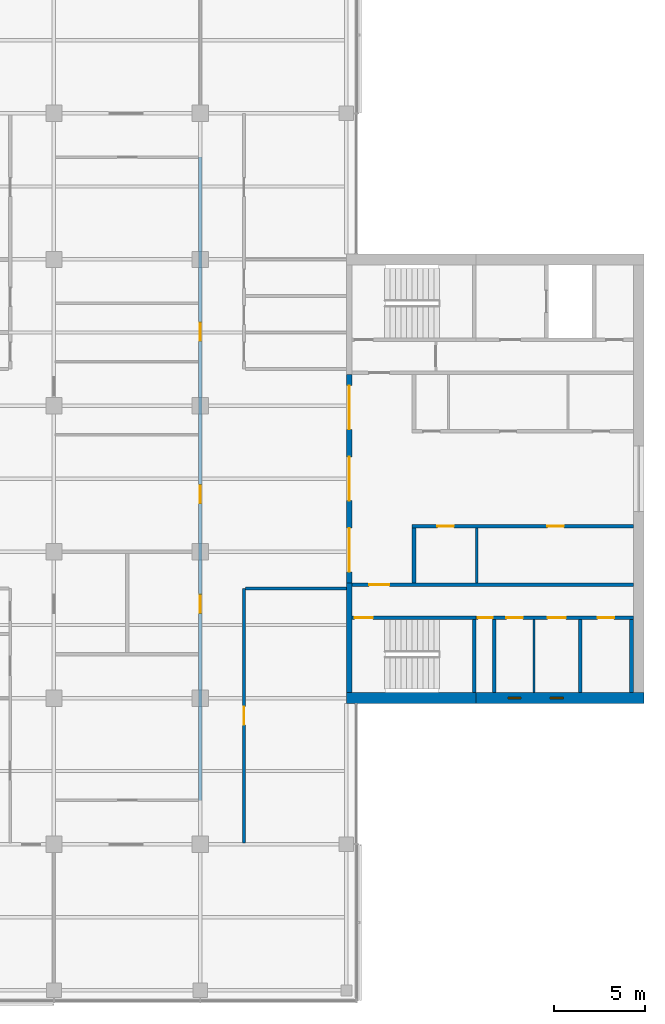
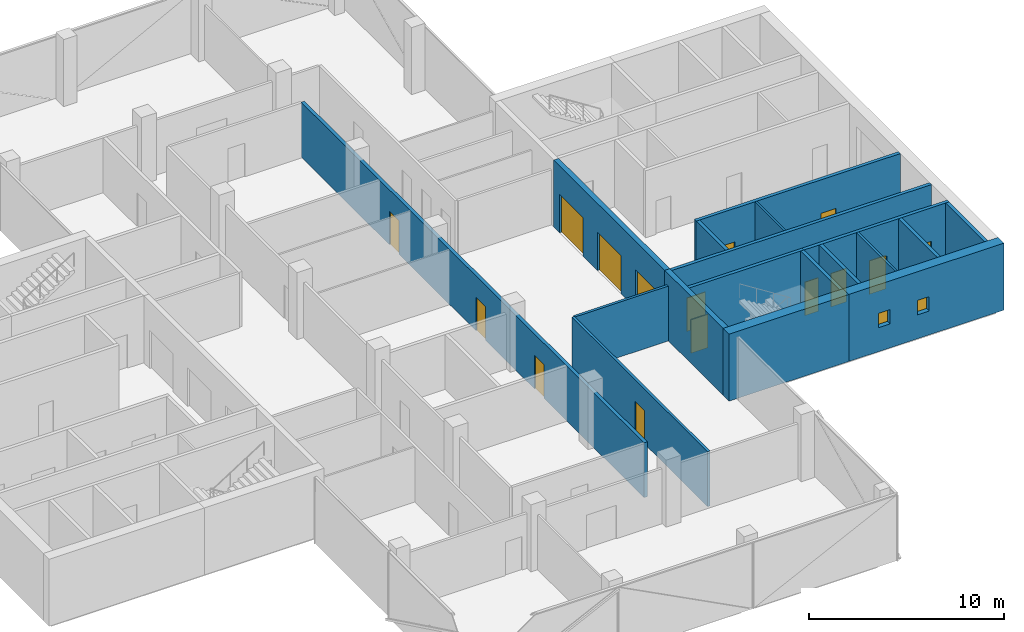
# One storey, part 10 of 15: 18 walls, 15 doors, 2 windows, 17 openings.
"""IFC4 building model written with IfcOpenShell, lengths in metres."""

from ifc_helpers import new_model, si_unit, direction, frame, frame_2d, origin, place, context, subcontext, project, spatial, rectangle, extrude, material, layer, layer_set, constituent, constituent_set, type_object, element, fill, save


model = new_model("IFC4")

# Units and contexts
model_context = context("Model", 3, precision=1e-05, world=origin(), true_north=direction((0.0, 1.0)))
body_context = subcontext(model_context, "Body", "Model", "MODEL_VIEW")
ifc_project = project(units=[si_unit("LENGTHUNIT", "METRE"), si_unit("AREAUNIT", "SQUARE_METRE"), si_unit("VOLUMEUNIT", "CUBIC_METRE"), si_unit("PLANEANGLEUNIT", "RADIAN"), si_unit("MASSUNIT", "GRAM", prefix="KILO")], contexts=[model_context])

# Site, building, storey
site_placement = place(None, origin())
site = spatial("IfcSite", under=ifc_project, at=site_placement, CompositionType="ELEMENT")
building_placement = place(site_placement, origin())
building = spatial("IfcBuilding", under=site, at=building_placement, Name="Crosswind Convention Tower", CompositionType="ELEMENT")
storey_placement = place(building_placement, frame((0.0, 0.0, 220.89990234375)))
storey = spatial("IfcBuildingStorey", under=building, at=storey_placement, Name="L47", CompositionType="ELEMENT", Elevation=220.89990234375)

# Wall
ifc_material_1 = material(Name="Concrete blockwork", Category="masonry")
ifc_layer_1 = layer(ifc_material_1, 0.199951171875)
ifc_layer_set_1 = layer_set([ifc_layer_1], Name="Blockwork partition wall 200")
wall_type_1 = type_object("IfcWallType", Name="Blockwork partition wall 200", PredefinedType="PARTITIONING", material=ifc_layer_set_1)
wall_1_placement = place(storey_placement, frame((145.10009765625, 88.300048828125, 0.0), z_axis=(0.0, 0.0, 1.0), x_axis=(0.0, 1.0, 0.0)))
element("IfcWall", 1, at=wall_1_placement, inside=storey, type_object=wall_type_1, Name="Wall MRSE E L47", PredefinedType="PARTITIONING", context=body_context, shape_type="SweptSolid", body=[
    extrude(rectangle(XDim=4.0, YDim=0.199951171875, at=frame_2d((2.0, 0.0))), origin(), (0.0, 0.0, 1.0), 4.2001953125),
])

# Wall, openings, doors
ifc_layer_2 = layer(ifc_material_1, 0.199951171875)
ifc_layer_set_2 = layer_set([ifc_layer_2], Name="COMPARTMENT WALL 200 BLOCKWORK")
wall_type_2 = type_object("IfcWallType", Name="COMPARTMENT WALL 200 BLOCKWORK", PredefinedType="SOLIDWALL", material=ifc_layer_set_2)
wall_2_placement = place(storey_placement, frame((129.0, 82.39990234375, 0.0), z_axis=(0.0, 0.0, 1.0), x_axis=(0.0, 1.0, 0.0)))
wall_2 = element("IfcWall", 2, at=wall_2_placement, inside=storey, type_object=wall_type_2, Name="Compartment wall WT42", PredefinedType="SOLIDWALL", context=body_context, shape_type="SweptSolid", body=[
    extrude(rectangle(XDim=35.2001953125, YDim=0.199951171875, at=frame_2d((17.60009765625, 0.0))), origin(), (0.0, 0.0, 1.0), 3.43994140625),
])
opening_1_placement = place(wall_2_placement, frame((10.25, 0.0, 0.0)))
opening_1 = element("IfcOpeningElement", 3, at=opening_1_placement, cuts=wall_2, Name="Opening L47-66", PredefinedType="OPENING", context=body_context, shape_type="SweptSolid", body=[
    extrude(rectangle(XDim=1.0, YDim=2.10009765625, at=frame_2d((0.5, 1.050048828125))), frame((0.0, 0.10986328125, 0.0), z_axis=(0.0, -1.0, 0.0), x_axis=(1.0, 0.0, 0.0)), (0.0, 0.0, 1.0), 0.219970703125),
])
opening_2_placement = place(wall_2_placement, frame((16.25, 0.0, 0.0)))
opening_2 = element("IfcOpeningElement", 4, at=opening_2_placement, cuts=wall_2, Name="Opening L47-67", PredefinedType="OPENING", context=body_context, shape_type="SweptSolid", body=[
    extrude(rectangle(XDim=1.0, YDim=2.10009765625, at=frame_2d((0.5, 1.050048828125))), frame((0.0, 0.10986328125, 0.0), z_axis=(0.0, -1.0, 0.0), x_axis=(1.0, 0.0, 0.0)), (0.0, 0.0, 1.0), 0.219970703125),
])
opening_3_placement = place(wall_2_placement, frame((25.14990234375, 0.0, 0.0)))
opening_3 = element("IfcOpeningElement", 5, at=opening_3_placement, cuts=wall_2, Name="Opening L47-69", PredefinedType="OPENING", context=body_context, shape_type="SweptSolid", body=[
    extrude(rectangle(XDim=1.0, YDim=2.10009765625, at=frame_2d((0.5, 1.050048828125))), frame((0.0, 0.10986328125, 0.0), z_axis=(0.0, -1.0, 0.0), x_axis=(1.0, 0.0, 0.0)), (0.0, 0.0, 1.0), 0.219970703125),
])
ifc_material_2 = material(Name="Steel fire door", Category="steel")
door_type_1 = type_object("IfcDoorType", Name="PLANT ROOM DOOR 1000X2100 FD60", OperationType="NOTDEFINED", PredefinedType="DOOR", material=ifc_material_2)
door_1_placement = place(opening_1_placement, origin())
door_1 = element("IfcDoor", 6, at=door_1_placement, inside=storey, type_object=door_type_1, Name="Door L47-66", ObjectType="D43", OperationType="SINGLE_SWING_RIGHT", OverallHeight=2.10009765625, OverallWidth=1.0, PredefinedType="DOOR", context=body_context, shape_type="SweptSolid", body=[
    extrude(rectangle(XDim=1.0, YDim=2.10009765625, at=frame_2d((0.5, 1.050048828125))), frame((0.0, 0.02490234375, 0.0), z_axis=(0.0, -1.0, 0.0), x_axis=(1.0, 0.0, 0.0)), (0.0, 0.0, 1.0), 0.050048828125),
])
fill(opening_1, door_1)
ifc_material_3 = material(Name="Timber fire door", Category="wood")
door_type_2 = type_object("IfcDoorType", Name="TENANCY ENTRANCE DOOR 1000X2100 FD30S", OperationType="NOTDEFINED", PredefinedType="DOOR", material=ifc_material_3)
door_2_placement = place(opening_2_placement, origin())
door_2 = element("IfcDoor", 7, at=door_2_placement, inside=storey, type_object=door_type_2, Name="Door L47-67", ObjectType="D41", OperationType="SINGLE_SWING_LEFT", OverallHeight=2.10009765625, OverallWidth=1.0, PredefinedType="DOOR", context=body_context, shape_type="SweptSolid", body=[
    extrude(rectangle(XDim=1.0, YDim=2.10009765625, at=frame_2d((0.5, 1.050048828125))), frame((0.0, 0.02490234375, 0.0), z_axis=(0.0, -1.0, 0.0), x_axis=(1.0, 0.0, 0.0)), (0.0, 0.0, 1.0), 0.050048828125),
])
fill(opening_2, door_2)
door_3_placement = place(opening_3_placement, origin())
door_3 = element("IfcDoor", 8, at=door_3_placement, inside=storey, type_object=door_type_2, Name="Door L47-69", ObjectType="D41", OperationType="SINGLE_SWING_RIGHT", OverallHeight=2.10009765625, OverallWidth=1.0, PredefinedType="DOOR", context=body_context, shape_type="SweptSolid", body=[
    extrude(rectangle(XDim=1.0, YDim=2.10009765625, at=frame_2d((0.5, 1.050048828125))), frame((0.0, 0.02490234375, 0.0), z_axis=(0.0, -1.0, 0.0), x_axis=(1.0, 0.0, 0.0)), (0.0, 0.0, 1.0), 0.050048828125),
])
fill(opening_3, door_3)

ifc_material_4 = material(Name="Concrete C50/60", Category="concrete")
ifc_layer_3 = layer(ifc_material_4, 0.300048828125)
ifc_layer_set_3 = layer_set([ifc_layer_3], Name="Concrete C50/60")
wall_type_3 = type_object("IfcWallType", Name="Concrete inner core wall 300", PredefinedType="SHEAR", material=ifc_layer_set_3)
wall_3_placement = place(storey_placement, frame((137.14990234375, 94.300048828125, 0.0), z_axis=(0.0, 0.0, 1.0), x_axis=(0.0, 1.0, 0.0)))
wall_3 = element("IfcWall", 9, at=wall_3_placement, inside=storey, type_object=wall_type_3, Name="Wall SCR E L47", PredefinedType="SHEAR", context=body_context, shape_type="SweptSolid", body=[
    extrude(rectangle(XDim=11.39990234375, YDim=0.300048828125, at=frame_2d((5.699951171875, 0.0))), origin(), (0.0, 0.0, 1.0), 4.2001953125),
])
opening_4_placement = place(wall_3_placement, frame((0.60009765625, 0.0, 0.0)))
opening_4 = element("IfcOpeningElement", 10, at=opening_4_placement, cuts=wall_3, Name="Opening D100", PredefinedType="OPENING", context=body_context, shape_type="SweptSolid", body=[
    extrude(rectangle(XDim=2.39990234375, YDim=2.39990234375, at=frame_2d((1.199951171875, 1.199951171875))), frame((0.0, 0.159912109375, 0.0), z_axis=(0.0, -1.0, 0.0), x_axis=(1.0, 0.0, 0.0)), (0.0, 0.0, 1.0), 0.320068359375),
])
opening_5_placement = place(wall_3_placement, frame((4.5, 0.0, 0.0)))
opening_5 = element("IfcOpeningElement", 11, at=opening_5_placement, cuts=wall_3, Name="Opening D100", PredefinedType="OPENING", context=body_context, shape_type="SweptSolid", body=[
    extrude(rectangle(XDim=2.39990234375, YDim=2.39990234375, at=frame_2d((1.199951171875, 1.199951171875))), frame((0.0, 0.159912109375, 0.0), z_axis=(0.0, -1.0, 0.0), x_axis=(1.0, 0.0, 0.0)), (0.0, 0.0, 1.0), 0.320068359375),
])
opening_6_placement = place(wall_3_placement, frame((8.39990234375, 0.0, 0.0)))
opening_6 = element("IfcOpeningElement", 12, at=opening_6_placement, cuts=wall_3, Name="Opening D100", PredefinedType="OPENING", context=body_context, shape_type="SweptSolid", body=[
    extrude(rectangle(XDim=2.39990234375, YDim=2.39990234375, at=frame_2d((1.199951171875, 1.199951171875))), frame((0.0, 0.159912109375, 0.0), z_axis=(0.0, -1.0, 0.0), x_axis=(1.0, 0.0, 0.0)), (0.0, 0.0, 1.0), 0.320068359375),
])
ifc_material_5 = material(Name="Steel fire door with glazed vision panels", Category="steel")
door_type_3 = type_object("IfcDoorType", Name="Fire-rated double door 2400x2400", OperationType="DOUBLE_DOOR_SINGLE_SWING", PredefinedType="DOOR", material=ifc_material_5)
door_4_placement = place(opening_4_placement, origin())
door_4 = element("IfcDoor", 13, at=door_4_placement, inside=storey, type_object=door_type_3, Name="Lobby door 1 L47", ObjectType="D100", OperationType="DOUBLE_DOOR_SINGLE_SWING", OverallHeight=2.39990234375, OverallWidth=2.39990234375, PredefinedType="DOOR", context=body_context, shape_type="SweptSolid", body=[
    extrude(rectangle(XDim=2.39990234375, YDim=2.39990234375, at=frame_2d((1.199951171875, 1.199951171875))), frame((0.0, 0.02490234375, 0.0), z_axis=(0.0, -1.0, 0.0), x_axis=(1.0, 0.0, 0.0)), (0.0, 0.0, 1.0), 0.050048828125),
])
fill(opening_4, door_4)
door_5_placement = place(opening_5_placement, origin())
door_5 = element("IfcDoor", 14, at=door_5_placement, inside=storey, type_object=door_type_3, Name="Lobby door 2 L47", ObjectType="D100", OperationType="DOUBLE_DOOR_SINGLE_SWING", OverallHeight=2.39990234375, OverallWidth=2.39990234375, PredefinedType="DOOR", context=body_context, shape_type="SweptSolid", body=[
    extrude(rectangle(XDim=2.39990234375, YDim=2.39990234375, at=frame_2d((1.199951171875, 1.199951171875))), frame((0.0, 0.02490234375, 0.0), z_axis=(0.0, -1.0, 0.0), x_axis=(1.0, 0.0, 0.0)), (0.0, 0.0, 1.0), 0.050048828125),
])
fill(opening_5, door_5)
door_6_placement = place(opening_6_placement, origin())
door_6 = element("IfcDoor", 15, at=door_6_placement, inside=storey, type_object=door_type_3, Name="Lobby door 3 L47", ObjectType="D100", OperationType="DOUBLE_DOOR_SINGLE_SWING", OverallHeight=2.39990234375, OverallWidth=2.39990234375, PredefinedType="DOOR", context=body_context, shape_type="SweptSolid", body=[
    extrude(rectangle(XDim=2.39990234375, YDim=2.39990234375, at=frame_2d((1.199951171875, 1.199951171875))), frame((0.0, 0.02490234375, 0.0), z_axis=(0.0, -1.0, 0.0), x_axis=(1.0, 0.0, 0.0)), (0.0, 0.0, 1.0), 0.050048828125),
])
fill(opening_6, door_6)

# Walls
wall_4_placement = place(storey_placement, frame((137.14990234375, 88.300048828125, 0.0), z_axis=(0.0, 0.0, 1.0), x_axis=(0.0, 1.0, 0.0)))
element("IfcWall", 16, at=wall_4_placement, inside=storey, type_object=wall_type_3, Name="Wall EM E L47", PredefinedType="SHEAR", context=body_context, shape_type="SweptSolid", body=[
    extrude(rectangle(XDim=6.0, YDim=0.300048828125, at=frame_2d((3.0, 0.0))), origin(), (0.0, 0.0, 1.0), 4.2001953125),
])
ifc_layer_4 = layer(ifc_material_4, 0.199951171875)
ifc_layer_set_4 = layer_set([ifc_layer_4], Name="Concrete C50/60")
wall_type_4 = type_object("IfcWallType", Name="Concrete shaft and stair wall 200", PredefinedType="SHEAR", material=ifc_layer_set_4)
wall_5_placement = place(storey_placement, frame((140.699951171875, 94.300048828125, 0.0), z_axis=(0.0, 0.0, 1.0), x_axis=(0.0, 1.0, 0.0)))
element("IfcWall", 17, at=wall_5_placement, inside=storey, type_object=wall_type_4, Name="Wall RMEND E L47", PredefinedType="SHEAR", context=body_context, shape_type="SweptSolid", body=[
    extrude(rectangle(XDim=3.0, YDim=0.199951171875, at=frame_2d((1.5, 0.0))), origin(), (0.0, 0.0, 1.0), 4.2001953125),
])

# Wall, openings, doors
wall_6_placement = place(storey_placement, frame((140.60009765625, 97.39990234375, 0.0), z_axis=(0.0, 0.0, 1.0), x_axis=(1.0, 0.0, 0.0)))
wall_6 = element("IfcWall", 18, at=wall_6_placement, inside=storey, type_object=wall_type_4, Name="Wall RMFRONT E L47", PredefinedType="SHEAR", context=body_context, shape_type="SweptSolid", body=[
    extrude(rectangle(XDim=12.099853515625, YDim=0.199951171875, at=frame_2d((6.0498046875, 0.0))), origin(), (0.0, 0.0, 1.0), 4.2001953125),
])
opening_7_placement = place(wall_6_placement, frame((1.384765625, 0.0, 0.0)))
opening_7 = element("IfcOpeningElement", 19, at=opening_7_placement, cuts=wall_6, Name="Opening D106", PredefinedType="OPENING", context=body_context, shape_type="SweptSolid", body=[
    extrude(rectangle(XDim=0.89990234375, YDim=2.10009765625, at=frame_2d((0.449951171875, 1.050048828125))), frame((0.0, 0.10986328125, 0.0), z_axis=(0.0, -1.0, 0.0), x_axis=(1.0, 0.0, 0.0)), (0.0, 0.0, 1.0), 0.219970703125),
])
opening_8_placement = place(wall_6_placement, frame((7.397216796875, 0.0, 0.0)))
opening_8 = element("IfcOpeningElement", 20, at=opening_8_placement, cuts=wall_6, Name="Opening D106", PredefinedType="OPENING", context=body_context, shape_type="SweptSolid", body=[
    extrude(rectangle(XDim=0.89990234375, YDim=2.10009765625, at=frame_2d((0.449951171875, 1.050048828125))), frame((0.0, 0.10986328125, 0.0), z_axis=(0.0, -1.0, 0.0), x_axis=(1.0, 0.0, 0.0)), (0.0, 0.0, 1.0), 0.219970703125),
])
ifc_material_6 = material(Name="Timber door", Category="wood")
door_type_4 = type_object("IfcDoorType", Name="Single leaf door 900x2100", OperationType="NOTDEFINED", PredefinedType="DOOR", material=ifc_material_6)
door_7_placement = place(opening_7_placement, frame((0.89990234375, 0.0, 0.0), z_axis=(0.0, 0.0, 1.0), x_axis=(-1.0, 0.0, 0.0)))
door_7 = element("IfcDoor", 21, at=door_7_placement, inside=storey, type_object=door_type_4, Name="Door to copy and print room L47", ObjectType="D106", OperationType="SINGLE_SWING_LEFT", OverallHeight=2.10009765625, OverallWidth=0.89990234375, PredefinedType="DOOR", context=body_context, shape_type="SweptSolid", body=[
    extrude(rectangle(XDim=0.89990234375, YDim=2.10009765625, at=frame_2d((0.449951171875, 1.050048828125))), frame((0.0, 0.02490234375, 0.0), z_axis=(0.0, -1.0, 0.0), x_axis=(1.0, 0.0, 0.0)), (0.0, 0.0, 1.0), 0.050048828125),
])
fill(opening_7, door_7)
door_8_placement = place(opening_8_placement, frame((0.89990234375, 0.0, 0.0), z_axis=(0.0, 0.0, 1.0), x_axis=(-1.0, 0.0, 0.0)))
door_8 = element("IfcDoor", 22, at=door_8_placement, inside=storey, type_object=door_type_4, Name="Door to meeting room L47", ObjectType="D106", OperationType="SINGLE_SWING_LEFT", OverallHeight=2.10009765625, OverallWidth=0.89990234375, PredefinedType="DOOR", context=body_context, shape_type="SweptSolid", body=[
    extrude(rectangle(XDim=0.89990234375, YDim=2.10009765625, at=frame_2d((0.449951171875, 1.050048828125))), frame((0.0, 0.02490234375, 0.0), z_axis=(0.0, -1.0, 0.0), x_axis=(1.0, 0.0, 0.0)), (0.0, 0.0, 1.0), 0.050048828125),
])
fill(opening_8, door_8)

# Wall, opening, door
wall_7_placement = place(storey_placement, frame((137.300048828125, 94.199951171875, 0.0), z_axis=(0.0, 0.0, 1.0), x_axis=(1.0, 0.0, 0.0)))
wall_7 = element("IfcWall", 23, at=wall_7_placement, inside=storey, type_object=wall_type_4, Name="Wall HM E L47", PredefinedType="SHEAR", context=body_context, shape_type="SweptSolid", body=[
    extrude(rectangle(XDim=15.39990234375, YDim=0.199951171875, at=frame_2d((7.699951171875, 0.0))), origin(), (0.0, 0.0, 1.0), 4.2001953125),
])
opening_9_placement = place(wall_7_placement, frame((0.949951171875, 0.0, 0.0)))
opening_9 = element("IfcOpeningElement", 24, at=opening_9_placement, cuts=wall_7, Name="Opening D104", PredefinedType="OPENING", context=body_context, shape_type="SweptSolid", body=[
    extrude(rectangle(XDim=1.10009765625, YDim=2.10009765625, at=frame_2d((0.550048828125, 1.050048828125))), frame((0.0, 0.10986328125, 0.0), z_axis=(0.0, -1.0, 0.0), x_axis=(1.0, 0.0, 0.0)), (0.0, 0.0, 1.0), 0.219970703125),
])
door_type_5 = type_object("IfcDoorType", Name="Fire-rated single door 1100x2100", OperationType="NOTDEFINED", PredefinedType="DOOR", material=ifc_material_2)
door_9_placement = place(opening_9_placement, origin())
door_9 = element("IfcDoor", 25, at=door_9_placement, inside=storey, type_object=door_type_5, Name="Corridor door L47", ObjectType="D104", OperationType="SINGLE_SWING_LEFT", OverallHeight=2.10009765625, OverallWidth=1.10009765625, PredefinedType="DOOR", context=body_context, shape_type="SweptSolid", body=[
    extrude(rectangle(XDim=1.10009765625, YDim=2.10009765625, at=frame_2d((0.550048828125, 1.050048828125))), frame((0.0, 0.02490234375, 0.0), z_axis=(0.0, -1.0, 0.0), x_axis=(1.0, 0.0, 0.0)), (0.0, 0.0, 1.0), 0.050048828125),
])
fill(opening_9, door_9)

# Walls
for number, where, z_axis, x_axis, name in (
    (26, (144.0, 88.300048828125, 0.0), (0.0, 0.0, 1.0), (0.0, 1.0, 0.0), "Wall MSE E L47"),
    (27, (149.800048828125, 88.300048828125, 0.0), (0.0, 0.0, 1.0), (0.0, 1.0, 0.0), "Wall MFSW E L47"),
    (28, (152.60009765625, 88.300048828125, 0.0), (0.0, 0.0, 1.0), (0.0, 1.0, 0.0), "Wall MFSE E L47"),
):
    element("IfcWall", number, at=place(storey_placement, frame(where, z_axis=z_axis, x_axis=x_axis)), inside=storey, type_object=wall_type_4, Name=name, PredefinedType="SHEAR", context=body_context, shape_type="SweptSolid", body=[
        extrude(rectangle(XDim=4.0, YDim=0.199951171875, at=frame_2d((2.0, 0.0))), origin(), (0.0, 0.0, 1.0), 4.2001953125),
    ])

# Wall, opening, door
wall_8_placement = place(storey_placement, frame((137.300048828125, 92.39990234375, 0.0), z_axis=(0.0, 0.0, 1.0), x_axis=(1.0, 0.0, 0.0)))
wall_8 = element("IfcWall", 29, at=wall_8_placement, inside=storey, type_object=wall_type_4, Name="Wall MCW E L47", PredefinedType="SHEAR", context=body_context, shape_type="SweptSolid", body=[
    extrude(rectangle(XDim=6.800048828125, YDim=0.199951171875, at=frame_2d((3.39990234375, 0.0))), origin(), (0.0, 0.0, 1.0), 4.2001953125),
])
opening_10_placement = place(wall_8_placement, frame((0.14990234375, 0.0, 0.0)))
opening_10 = element("IfcOpeningElement", 30, at=opening_10_placement, cuts=wall_8, Name="Opening D103", PredefinedType="OPENING", context=body_context, shape_type="SweptSolid", body=[
    extrude(rectangle(XDim=1.0, YDim=2.10009765625, at=frame_2d((0.5, 1.050048828125))), frame((0.0, 0.10986328125, 0.0), z_axis=(0.0, -1.0, 0.0), x_axis=(1.0, 0.0, 0.0)), (0.0, 0.0, 1.0), 0.219970703125),
])
door_type_6 = type_object("IfcDoorType", Name="Fire-rated single door 1000x2100", OperationType="NOTDEFINED", PredefinedType="DOOR", material=ifc_material_2)
door_10_placement = place(opening_10_placement, frame((1.0, 0.0, 0.0), z_axis=(0.0, 0.0, 1.0), x_axis=(-1.0, 0.0, 0.0)))
door_10 = element("IfcDoor", 31, at=door_10_placement, inside=storey, type_object=door_type_6, Name="Stair ST2 door L47", ObjectType="D103", OperationType="SINGLE_SWING_RIGHT", OverallHeight=2.10009765625, OverallWidth=1.0, PredefinedType="DOOR", context=body_context, shape_type="SweptSolid", body=[
    extrude(rectangle(XDim=1.0, YDim=2.10009765625, at=frame_2d((0.5, 1.050048828125))), frame((0.0, 0.02490234375, 0.0), z_axis=(0.0, -1.0, 0.0), x_axis=(1.0, 0.0, 0.0)), (0.0, 0.0, 1.0), 0.050048828125),
])
fill(opening_10, door_10)

# Wall, openings, doors
wall_9_placement = place(storey_placement, frame((144.10009765625, 92.39990234375, 0.0), z_axis=(0.0, 0.0, 1.0), x_axis=(1.0, 0.0, 0.0)))
wall_9 = element("IfcWall", 32, at=wall_9_placement, inside=storey, type_object=wall_type_4, Name="Wall MCX E L47", PredefinedType="SHEAR", context=body_context, shape_type="SweptSolid", body=[
    extrude(rectangle(XDim=8.599853515625, YDim=0.199951171875, at=frame_2d((4.2998046875, 0.0))), origin(), (0.0, 0.0, 1.0), 4.2001953125),
])
opening_11_placement = place(wall_9_placement, frame((0.10009765625, 0.0, 0.0)))
opening_11 = element("IfcOpeningElement", 33, at=opening_11_placement, cuts=wall_9, Name="Opening D105", PredefinedType="OPENING", context=body_context, shape_type="SweptSolid", body=[
    extrude(rectangle(XDim=0.800048828125, YDim=2.10009765625, at=frame_2d((0.39990234375, 1.050048828125))), frame((0.0, 0.10986328125, 0.0), z_axis=(0.0, -1.0, 0.0), x_axis=(1.0, 0.0, 0.0)), (0.0, 0.0, 1.0), 0.219970703125),
])
opening_12_placement = place(wall_9_placement, frame((1.65380859375, 0.0, 0.0)))
opening_12 = element("IfcOpeningElement", 34, at=opening_12_placement, cuts=wall_9, Name="Opening D106", PredefinedType="OPENING", context=body_context, shape_type="SweptSolid", body=[
    extrude(rectangle(XDim=0.89990234375, YDim=2.10009765625, at=frame_2d((0.449951171875, 1.050048828125))), frame((0.0, 0.10986328125, 0.0), z_axis=(0.0, -1.0, 0.0), x_axis=(1.0, 0.0, 0.0)), (0.0, 0.0, 1.0), 0.219970703125),
])
opening_13_placement = place(wall_9_placement, frame((3.916259765625, 0.0, 0.0)))
opening_13 = element("IfcOpeningElement", 35, at=opening_13_placement, cuts=wall_9, Name="Opening D103", PredefinedType="OPENING", context=body_context, shape_type="SweptSolid", body=[
    extrude(rectangle(XDim=1.0, YDim=2.10009765625, at=frame_2d((0.5, 1.050048828125))), frame((0.0, 0.10986328125, 0.0), z_axis=(0.0, -1.0, 0.0), x_axis=(1.0, 0.0, 0.0)), (0.0, 0.0, 1.0), 0.219970703125),
])
opening_14_placement = place(wall_9_placement, frame((6.64990234375, 0.0, 0.0)))
opening_14 = element("IfcOpeningElement", 36, at=opening_14_placement, cuts=wall_9, Name="Opening D106", PredefinedType="OPENING", context=body_context, shape_type="SweptSolid", body=[
    extrude(rectangle(XDim=0.89990234375, YDim=2.10009765625, at=frame_2d((0.449951171875, 1.050048828125))), frame((0.0, 0.10986328125, 0.0), z_axis=(0.0, -1.0, 0.0), x_axis=(1.0, 0.0, 0.0)), (0.0, 0.0, 1.0), 0.219970703125),
])
door_11_placement = place(opening_13_placement, frame((1.0, 0.0, 0.0), z_axis=(0.0, 0.0, 1.0), x_axis=(-1.0, 0.0, 0.0)))
door_11 = element("IfcDoor", 37, at=door_11_placement, inside=storey, type_object=door_type_6, Name="Door to accessible wc L47", ObjectType="D103", OperationType="SINGLE_SWING_LEFT", OverallHeight=2.10009765625, OverallWidth=1.0, PredefinedType="DOOR", context=body_context, shape_type="SweptSolid", body=[
    extrude(rectangle(XDim=1.0, YDim=2.10009765625, at=frame_2d((0.5, 1.050048828125))), frame((0.0, 0.02490234375, 0.0), z_axis=(0.0, -1.0, 0.0), x_axis=(1.0, 0.0, 0.0)), (0.0, 0.0, 1.0), 0.050048828125),
])
fill(opening_13, door_11)
door_type_7 = type_object("IfcDoorType", Name="Riser access door 800x2100", OperationType="NOTDEFINED", PredefinedType="DOOR", material=ifc_material_2)
door_12_placement = place(opening_11_placement, frame((0.800048828125, 0.0, 0.0), z_axis=(0.0, 0.0, 1.0), x_axis=(-1.0, 0.0, 0.0)))
door_12 = element("IfcDoor", 38, at=door_12_placement, inside=storey, type_object=door_type_7, Name="Riser door L47", ObjectType="D105", OperationType="SINGLE_SWING_LEFT", OverallHeight=2.10009765625, OverallWidth=0.800048828125, PredefinedType="DOOR", context=body_context, shape_type="SweptSolid", body=[
    extrude(rectangle(XDim=0.800048828125, YDim=2.10009765625, at=frame_2d((0.39990234375, 1.050048828125))), frame((0.0, 0.02490234375, 0.0), z_axis=(0.0, -1.0, 0.0), x_axis=(1.0, 0.0, 0.0)), (0.0, 0.0, 1.0), 0.050048828125),
])
fill(opening_11, door_12)
door_13_placement = place(opening_12_placement, frame((0.89990234375, 0.0, 0.0), z_axis=(0.0, 0.0, 1.0), x_axis=(-1.0, 0.0, 0.0)))
door_13 = element("IfcDoor", 39, at=door_13_placement, inside=storey, type_object=door_type_4, Name="Door to wc L47", ObjectType="D106", OperationType="SINGLE_SWING_LEFT", OverallHeight=2.10009765625, OverallWidth=0.89990234375, PredefinedType="DOOR", context=body_context, shape_type="SweptSolid", body=[
    extrude(rectangle(XDim=0.89990234375, YDim=2.10009765625, at=frame_2d((0.449951171875, 1.050048828125))), frame((0.0, 0.02490234375, 0.0), z_axis=(0.0, -1.0, 0.0), x_axis=(1.0, 0.0, 0.0)), (0.0, 0.0, 1.0), 0.050048828125),
])
fill(opening_12, door_13)
door_14_placement = place(opening_14_placement, frame((0.89990234375, 0.0, 0.0), z_axis=(0.0, 0.0, 1.0), x_axis=(-1.0, 0.0, 0.0)))
door_14 = element("IfcDoor", 40, at=door_14_placement, inside=storey, type_object=door_type_4, Name="Door to accessible wc L47", ObjectType="D106", OperationType="SINGLE_SWING_LEFT", OverallHeight=2.10009765625, OverallWidth=0.89990234375, PredefinedType="DOOR", context=body_context, shape_type="SweptSolid", body=[
    extrude(rectangle(XDim=0.89990234375, YDim=2.10009765625, at=frame_2d((0.449951171875, 1.050048828125))), frame((0.0, 0.02490234375, 0.0), z_axis=(0.0, -1.0, 0.0), x_axis=(1.0, 0.0, 0.0)), (0.0, 0.0, 1.0), 0.050048828125),
])
fill(opening_14, door_14)

# Walls
ifc_material_7 = material(Name="Gypsum plasterboard partition", Category="gypsum")
ifc_layer_5 = layer(ifc_material_7, 0.125)
ifc_layer_set_5 = layer_set([ifc_layer_5], Name="Drywall partition wall 125")
wall_type_5 = type_object("IfcWallType", Name="Drywall partition wall 125", PredefinedType="PARTITIONING", material=ifc_layer_set_5)
wall_10_placement = place(storey_placement, frame((144.132080078125, 94.300048828125, 0.0), z_axis=(0.0, 0.0, 1.0), x_axis=(0.0, 1.0, 0.0)))
element("IfcWall", 41, at=wall_10_placement, inside=storey, type_object=wall_type_5, Name="Wall RMP1 E L47", PredefinedType="PARTITIONING", context=body_context, shape_type="SweptSolid", body=[
    extrude(rectangle(XDim=3.0, YDim=0.125, at=frame_2d((1.5, 0.0))), origin(), (0.0, 0.0, 1.0), 4.2001953125),
])
wall_11_placement = place(storey_placement, frame((147.27001953125, 88.300048828125, 0.0), z_axis=(0.0, 0.0, 1.0), x_axis=(0.0, 1.0, 0.0)))
element("IfcWall", 42, at=wall_11_placement, inside=storey, type_object=wall_type_5, Name="Wall MWP1 E L47", PredefinedType="PARTITIONING", context=body_context, shape_type="SweptSolid", body=[
    extrude(rectangle(XDim=4.0, YDim=0.125, at=frame_2d((2.0, 0.0))), origin(), (0.0, 0.0, 1.0), 4.2001953125),
])

# Wall, opening, door
ifc_material_8 = material(Name="Fire-board partition with mineral wool", Category="gypsum")
ifc_layer_6 = layer(ifc_material_8, 0.14990234375)
ifc_layer_set_6 = layer_set([ifc_layer_6], Name="TENANCY WALL 150 TWO-HOUR BOARD")
wall_type_6 = type_object("IfcWallType", Name="TENANCY WALL 150 TWO-HOUR BOARD", PredefinedType="PARTITIONING", material=ifc_layer_set_6)
wall_12_placement = place(storey_placement, frame((131.39990234375, 80.074951171875, 0.0), z_axis=(0.0, 0.0, 1.0), x_axis=(0.0, 1.0, 0.0)))
wall_12 = element("IfcWall", 43, at=wall_12_placement, inside=storey, type_object=wall_type_6, Name="Tenancy wall WT41", PredefinedType="PARTITIONING", context=body_context, shape_type="SweptSolid", body=[
    extrude(rectangle(XDim=13.925048828125, YDim=0.14990234375, at=frame_2d((6.96240234375, 0.0))), origin(), (0.0, 0.0, 1.0), 3.43994140625),
])
opening_15_placement = place(wall_12_placement, frame((6.449951171875, 0.0, 0.0)))
opening_15 = element("IfcOpeningElement", 44, at=opening_15_placement, cuts=wall_12, Name="Opening L47-54", PredefinedType="OPENING", context=body_context, shape_type="SweptSolid", body=[
    extrude(rectangle(XDim=1.0, YDim=2.10009765625, at=frame_2d((0.5, 1.050048828125))), frame((0.0, 0.0849609375, 0.0), z_axis=(0.0, -1.0, 0.0), x_axis=(1.0, 0.0, 0.0)), (0.0, 0.0, 1.0), 0.169921875),
])
door_15_placement = place(opening_15_placement, frame((1.0, 0.0, 0.0), z_axis=(0.0, 0.0, 1.0), x_axis=(-1.0, 0.0, 0.0)))
door_15 = element("IfcDoor", 45, at=door_15_placement, inside=storey, type_object=door_type_2, Name="Door L47-54", ObjectType="D41", OperationType="SINGLE_SWING_LEFT", OverallHeight=2.10009765625, OverallWidth=1.0, PredefinedType="DOOR", context=body_context, shape_type="SweptSolid", body=[
    extrude(rectangle(XDim=1.0, YDim=2.10009765625, at=frame_2d((0.5, 1.050048828125))), frame((0.0, 0.02490234375, 0.0), z_axis=(0.0, -1.0, 0.0), x_axis=(1.0, 0.0, 0.0)), (0.0, 0.0, 1.0), 0.050048828125),
])
fill(opening_15, door_15)

# Walls
wall_13_placement = place(storey_placement, frame((131.47509765625, 94.0, 0.0), z_axis=(0.0, 0.0, 1.0), x_axis=(1.0, 0.0, 0.0)))
element("IfcWall", 46, at=wall_13_placement, inside=storey, type_object=wall_type_6, Name="Tenancy wall WT41", PredefinedType="PARTITIONING", context=body_context, shape_type="SweptSolid", body=[
    extrude(rectangle(XDim=5.52490234375, YDim=0.14990234375, at=frame_2d((2.762451171875, 0.0))), origin(), (0.0, 0.0, 1.0), 3.43994140625),
])
ifc_material_9 = material(Name="Concrete C60/75", Category="concrete")
ifc_constituent_1 = constituent(ifc_material_9, Name="Structure")
ifc_material_10 = material(Name="Terracotta rainscreen", Category="ceramic")
ifc_constituent_2 = constituent(ifc_material_10, Name="Facing")
ifc_constituent_set = constituent_set(constituents=[ifc_constituent_1, ifc_constituent_2], Name="Concrete C60/75, Terracotta rainscreen")
wall_type_7 = type_object("IfcWallType", Name="Terracotta rainscreen on concrete core wall 600", PredefinedType="SHEAR", material=ifc_constituent_set)
wall_14_placement = place(storey_placement, frame((137.0, 88.0, 0.0), z_axis=(0.0, 0.0, 1.0), x_axis=(1.0, 0.0, 0.0)))
element("IfcWall", 47, at=wall_14_placement, inside=storey, type_object=wall_type_7, Name="Wall S1 E L47", PredefinedType="SHEAR", context=body_context, shape_type="SweptSolid", body=[
    extrude(rectangle(XDim=7.10009765625, YDim=0.60009765625, at=frame_2d((3.550048828125, 0.0))), origin(), (0.0, 0.0, 1.0), 4.2001953125),
])

# Wall, openings, windows
wall_15_placement = place(storey_placement, frame((144.10009765625, 88.0, 0.0), z_axis=(0.0, 0.0, 1.0), x_axis=(1.0, 0.0, 0.0)))
wall_15 = element("IfcWall", 48, at=wall_15_placement, inside=storey, type_object=wall_type_7, Name="Wall S2 E L47", PredefinedType="SHEAR", context=body_context, shape_type="SweptSolid", body=[
    extrude(rectangle(XDim=9.199951171875, YDim=0.60009765625, at=frame_2d((4.60009765625, 0.0))), origin(), (0.0, 0.0, 1.0), 4.2001953125),
])
opening_16_placement = place(wall_15_placement, frame((1.753662109375, 0.0, 1.5)))
opening_16 = element("IfcOpeningElement", 49, at=opening_16_placement, cuts=wall_15, Name="Opening W2", PredefinedType="OPENING", context=body_context, shape_type="SweptSolid", body=[
    extrude(rectangle(XDim=0.699951171875, YDim=0.89990234375, at=frame_2d((0.35009765625, 0.449951171875))), frame((0.0, 0.31005859375, 0.0), z_axis=(0.0, -1.0, 0.0), x_axis=(1.0, 0.0, 0.0)), (0.0, 0.0, 1.0), 0.6201171875),
])
opening_17_placement = place(wall_15_placement, frame((4.066162109375, 0.0, 1.5)))
opening_17 = element("IfcOpeningElement", 50, at=opening_17_placement, cuts=wall_15, Name="Opening W2", PredefinedType="OPENING", context=body_context, shape_type="SweptSolid", body=[
    extrude(rectangle(XDim=0.699951171875, YDim=0.89990234375, at=frame_2d((0.35009765625, 0.449951171875))), frame((0.0, 0.31005859375, 0.0), z_axis=(0.0, -1.0, 0.0), x_axis=(1.0, 0.0, 0.0)), (0.0, 0.0, 1.0), 0.6201171875),
])
ifc_material_11 = material(Name="Obscure glass in aluminium frame", Category="aluminium")
window_type = type_object("IfcWindowType", Name="WC window 700x900", PartitioningType="SINGLE_PANEL", PredefinedType="WINDOW", material=ifc_material_11)
window_1_placement = place(opening_16_placement, origin())
window_1 = element("IfcWindow", 51, at=window_1_placement, inside=storey, type_object=window_type, Name="WC window L47", ObjectType="W2", OverallHeight=0.89990234375, OverallWidth=0.699951171875, PartitioningType="SINGLE_PANEL", PredefinedType="WINDOW", context=body_context, shape_type="SweptSolid", body=[
    extrude(rectangle(XDim=0.699951171875, YDim=0.89990234375, at=frame_2d((0.35009765625, 0.449951171875))), frame((0.0, 0.030029296875, 0.0), z_axis=(0.0, -1.0, 0.0), x_axis=(1.0, 0.0, 0.0)), (0.0, 0.0, 1.0), 0.06005859375),
])
fill(opening_16, window_1)
window_2_placement = place(opening_17_placement, origin())
window_2 = element("IfcWindow", 52, at=window_2_placement, inside=storey, type_object=window_type, Name="WC window L47", ObjectType="W2", OverallHeight=0.89990234375, OverallWidth=0.699951171875, PartitioningType="SINGLE_PANEL", PredefinedType="WINDOW", context=body_context, shape_type="SweptSolid", body=[
    extrude(rectangle(XDim=0.699951171875, YDim=0.89990234375, at=frame_2d((0.35009765625, 0.449951171875))), frame((0.0, 0.030029296875, 0.0), z_axis=(0.0, -1.0, 0.0), x_axis=(1.0, 0.0, 0.0)), (0.0, 0.0, 1.0), 0.06005859375),
])
fill(opening_17, window_2)

save(model, "model.ifc")
